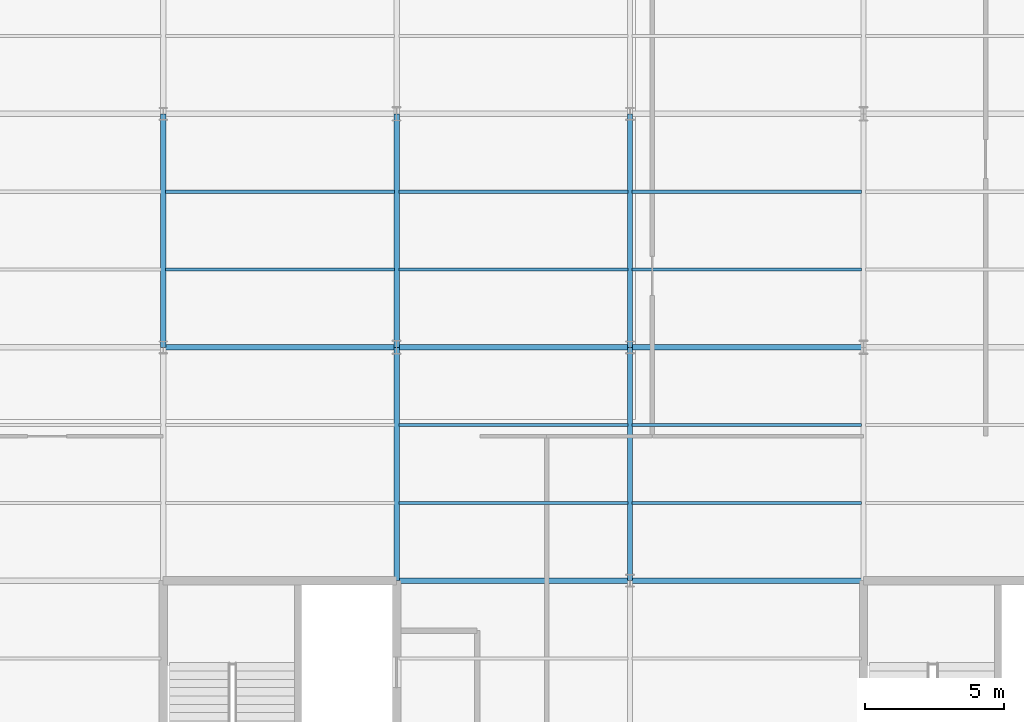
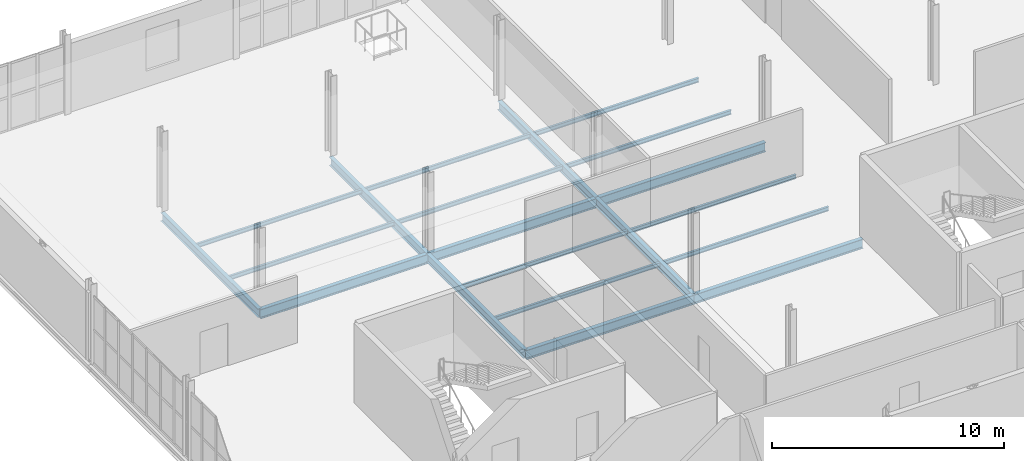
# One storey, part 22 of 65: 20 beams.
"""IFC4 building model written with IfcOpenShell, lengths in metres."""

from ifc_helpers import new_model, si_unit, direction, frame, origin, origin_2d, place, context, subcontext, project, spatial, i_section, extrude, material, material_profile, profile_set, type_object, element, save


model = new_model("IFC4")

# Units and contexts
model_context = context("Model", 3, precision=1e-05, world=origin(), true_north=direction((0.0, 1.0)))
body_context = subcontext(model_context, "Body", "Model", "MODEL_VIEW")
ifc_project = project(units=[si_unit("LENGTHUNIT", "METRE"), si_unit("AREAUNIT", "SQUARE_METRE"), si_unit("VOLUMEUNIT", "CUBIC_METRE"), si_unit("PLANEANGLEUNIT", "RADIAN"), si_unit("MASSUNIT", "GRAM", prefix="KILO")], contexts=[model_context])

# Site, building, storey
site_placement = place(None, origin())
site = spatial("IfcSite", under=ifc_project, at=site_placement, CompositionType="ELEMENT")
building_placement = place(site_placement, origin())
building = spatial("IfcBuilding", under=site, at=building_placement, Name="Qalvenar Corner Mobility Hub", CompositionType="ELEMENT")
storey_placement = place(building_placement, frame((0.0, 0.0, 17.39990234375)))
storey = spatial("IfcBuildingStorey", under=building, at=storey_placement, Name="L04", CompositionType="ELEMENT", Elevation=17.39990234375)

# Beams
ifc_material = material(Name="Steel S355", Category="steel")
ifc_material_profile_1 = material_profile(ifc_material, i_section(OverallWidth=0.18994140625, OverallDepth=0.449951171875, WebThickness=0.009521484375, FlangeThickness=0.0146484375, FilletRadius=0.02099609375, at=origin_2d()), Name="IPE450")
ifc_profile_set_1 = profile_set([ifc_material_profile_1], Name="Steel S355")
beam_type_1 = type_object("IfcBeamType", Name="BM-IPE450", PredefinedType="BEAM", material=ifc_profile_set_1)
beam_1_placement = place(storey_placement, frame((8.39990234375, 25.199951171875, -0.40478515625), z_axis=(0.0, 1.0, 0.0), x_axis=(-1.0, 0.0, 0.0)))
element("IfcBeam", 1, at=beam_1_placement, inside=storey, type_object=beam_type_1, Name="Primary Steel Girder GY-2635", PredefinedType="BEAM", context=body_context, shape_type="SweptSolid", body=[
    extrude(i_section(OverallWidth=0.18994140625, OverallDepth=0.449951171875, WebThickness=0.009521484375, FlangeThickness=0.0146484375, FilletRadius=0.02099609375, at=origin_2d()), origin(), (0.0, 0.0, 1.0), 8.400146484375),
])
beam_2_placement = place(storey_placement, frame((16.800048828125, 16.800048828125, -0.40478515625), z_axis=(0.0, 1.0, 0.0), x_axis=(-1.0, 0.0, 0.0)))
element("IfcBeam", 2, at=beam_2_placement, inside=storey, type_object=beam_type_1, Name="Primary Steel Girder GY-2639", PredefinedType="BEAM", context=body_context, shape_type="SweptSolid", body=[
    extrude(i_section(OverallWidth=0.18994140625, OverallDepth=0.449951171875, WebThickness=0.009521484375, FlangeThickness=0.0146484375, FilletRadius=0.02099609375, at=origin_2d()), origin(), (0.0, 0.0, 1.0), 8.39990234375),
])
beam_3_placement = place(storey_placement, frame((16.800048828125, 25.199951171875, -0.40478515625), z_axis=(0.0, 1.0, 0.0), x_axis=(-1.0, 0.0, 0.0)))
element("IfcBeam", 3, at=beam_3_placement, inside=storey, type_object=beam_type_1, Name="Primary Steel Girder GY-2640", PredefinedType="BEAM", context=body_context, shape_type="SweptSolid", body=[
    extrude(i_section(OverallWidth=0.18994140625, OverallDepth=0.449951171875, WebThickness=0.009521484375, FlangeThickness=0.0146484375, FilletRadius=0.02099609375, at=origin_2d()), origin(), (0.0, 0.0, 1.0), 8.400146484375),
])
beam_4_placement = place(storey_placement, frame((25.199951171875, 16.800048828125, -0.40478515625), z_axis=(0.0, 1.0, 0.0), x_axis=(-1.0, 0.0, 0.0)))
element("IfcBeam", 4, at=beam_4_placement, inside=storey, type_object=beam_type_1, Name="Primary Steel Girder GY-2644", PredefinedType="BEAM", context=body_context, shape_type="SweptSolid", body=[
    extrude(i_section(OverallWidth=0.18994140625, OverallDepth=0.449951171875, WebThickness=0.009521484375, FlangeThickness=0.0146484375, FilletRadius=0.02099609375, at=origin_2d()), origin(), (0.0, 0.0, 1.0), 8.39990234375),
])
beam_5_placement = place(storey_placement, frame((25.199951171875, 25.199951171875, -0.40478515625), z_axis=(0.0, 1.0, 0.0), x_axis=(-1.0, 0.0, 0.0)))
element("IfcBeam", 5, at=beam_5_placement, inside=storey, type_object=beam_type_1, Name="Primary Steel Girder GY-2645", PredefinedType="BEAM", context=body_context, shape_type="SweptSolid", body=[
    extrude(i_section(OverallWidth=0.18994140625, OverallDepth=0.449951171875, WebThickness=0.009521484375, FlangeThickness=0.0146484375, FilletRadius=0.02099609375, at=origin_2d()), origin(), (0.0, 0.0, 1.0), 8.400146484375),
])
ifc_material_profile_2 = material_profile(ifc_material, i_section(OverallWidth=0.199951171875, OverallDepth=0.5, WebThickness=0.01025390625, FlangeThickness=0.01611328125, FilletRadius=0.02099609375, at=origin_2d()), Name="IPE500")
ifc_profile_set_2 = profile_set([ifc_material_profile_2], Name="Steel S355")
beam_type_2 = type_object("IfcBeamType", Name="BM-IPE500", PredefinedType="BEAM", material=ifc_profile_set_2)
beam_6_placement = place(storey_placement, frame((16.800048828125, 16.800048828125, -0.429931640625), z_axis=(1.0, 0.0, 0.0), x_axis=(0.0, 1.0, 0.0)))
element("IfcBeam", 6, at=beam_6_placement, inside=storey, type_object=beam_type_2, Name="Primary Steel Girder GX-2605", PredefinedType="BEAM", context=body_context, shape_type="SweptSolid", body=[
    extrude(i_section(OverallWidth=0.199951171875, OverallDepth=0.5, WebThickness=0.01025390625, FlangeThickness=0.01611328125, FilletRadius=0.02099609375, at=origin_2d()), origin(), (0.0, 0.0, 1.0), 8.39990234375),
])
for number, where, z_axis, x_axis, name in (
    (7, (25.199951171875, 16.800048828125, -0.429931640625), (1.0, 0.0, 0.0), (0.0, 1.0, 0.0), "Primary Steel Girder GX-2606"),
    (8, (8.39990234375, 25.199951171875, -0.429931640625), (1.0, 0.0, 0.0), (0.0, 1.0, 0.0), "Primary Steel Girder GX-2610"),
):
    element("IfcBeam", number, at=place(storey_placement, frame(where, z_axis=z_axis, x_axis=x_axis)), inside=storey, type_object=beam_type_2, Name=name, PredefinedType="BEAM", context=body_context, shape_type="SweptSolid", body=[
        extrude(i_section(OverallWidth=0.199951171875, OverallDepth=0.5, WebThickness=0.01025390625, FlangeThickness=0.01611328125, FilletRadius=0.02099609375, at=origin_2d()), origin(), (0.0, 0.0, 1.0), 8.400146484375),
    ])
beam_7_placement = place(storey_placement, frame((16.800048828125, 25.199951171875, -0.429931640625), z_axis=(1.0, 0.0, 0.0), x_axis=(0.0, 1.0, 0.0)))
element("IfcBeam", 9, at=beam_7_placement, inside=storey, type_object=beam_type_2, Name="Primary Steel Girder GX-2611", PredefinedType="BEAM", context=body_context, shape_type="SweptSolid", body=[
    extrude(i_section(OverallWidth=0.199951171875, OverallDepth=0.5, WebThickness=0.01025390625, FlangeThickness=0.01611328125, FilletRadius=0.02099609375, at=origin_2d()), origin(), (0.0, 0.0, 1.0), 8.39990234375),
])
beam_8_placement = place(storey_placement, frame((25.199951171875, 25.199951171875, -0.429931640625), z_axis=(1.0, 0.0, 0.0), x_axis=(0.0, 1.0, 0.0)))
element("IfcBeam", 10, at=beam_8_placement, inside=storey, type_object=beam_type_2, Name="Primary Steel Girder GX-2612", PredefinedType="BEAM", context=body_context, shape_type="SweptSolid", body=[
    extrude(i_section(OverallWidth=0.199951171875, OverallDepth=0.5, WebThickness=0.01025390625, FlangeThickness=0.01611328125, FilletRadius=0.02099609375, at=origin_2d()), origin(), (0.0, 0.0, 1.0), 8.400146484375),
])
ifc_material_profile_3 = material_profile(ifc_material, i_section(OverallWidth=0.110107421875, OverallDepth=0.219970703125, WebThickness=0.005859375, FlangeThickness=0.00927734375, FilletRadius=0.011962890625, at=origin_2d()), Name="IPE220")
ifc_profile_set_3 = profile_set([ifc_material_profile_3], Name="Steel S355")
beam_type_3 = type_object("IfcBeamType", Name="BM-JST220", PredefinedType="JOIST", material=ifc_profile_set_3)
for number, where, z_axis, x_axis, name in (
    (11, (8.47802734375, 28.0, -0.289794921875), (1.0, 0.0, 0.0), (0.0, 1.0, 0.0), "Composite Floor Joist J-2677"),
    (12, (8.47802734375, 30.800048828125, -0.289794921875), (1.0, 0.0, 0.0), (0.0, 1.0, 0.0), "Composite Floor Joist J-2678"),
):
    element("IfcBeam", number, at=place(storey_placement, frame(where, z_axis=z_axis, x_axis=x_axis)), inside=storey, type_object=beam_type_3, Name=name, PredefinedType="JOIST", context=body_context, shape_type="SweptSolid", body=[
        extrude(i_section(OverallWidth=0.110107421875, OverallDepth=0.219970703125, WebThickness=0.005859375, FlangeThickness=0.00927734375, FilletRadius=0.011962890625, at=origin_2d()), origin(), (0.0, 0.0, 1.0), 8.243896484375),
    ])
for number, where, z_axis, x_axis, name in (
    (13, (16.8779296875, 19.60009765625, -0.289794921875), (1.0, 0.0, 0.0), (0.0, 1.0, 0.0), "Composite Floor Joist J-2685"),
    (14, (16.8779296875, 22.39990234375, -0.289794921875), (1.0, 0.0, 0.0), (0.0, 1.0, 0.0), "Composite Floor Joist J-2686"),
    (15, (16.8779296875, 28.0, -0.289794921875), (1.0, 0.0, 0.0), (0.0, 1.0, 0.0), "Composite Floor Joist J-2687"),
    (16, (16.8779296875, 30.800048828125, -0.289794921875), (1.0, 0.0, 0.0), (0.0, 1.0, 0.0), "Composite Floor Joist J-2688"),
):
    element("IfcBeam", number, at=place(storey_placement, frame(where, z_axis=z_axis, x_axis=x_axis)), inside=storey, type_object=beam_type_3, Name=name, PredefinedType="JOIST", context=body_context, shape_type="SweptSolid", body=[
        extrude(i_section(OverallWidth=0.110107421875, OverallDepth=0.219970703125, WebThickness=0.005859375, FlangeThickness=0.00927734375, FilletRadius=0.011962890625, at=origin_2d()), origin(), (0.0, 0.0, 1.0), 8.244140625),
    ])
for number, where, z_axis, x_axis, name in (
    (17, (25.278076171875, 19.60009765625, -0.289794921875), (1.0, 0.0, 0.0), (0.0, 1.0, 0.0), "Composite Floor Joist J-2695"),
    (18, (25.278076171875, 22.39990234375, -0.289794921875), (1.0, 0.0, 0.0), (0.0, 1.0, 0.0), "Composite Floor Joist J-2696"),
    (19, (25.278076171875, 28.0, -0.289794921875), (1.0, 0.0, 0.0), (0.0, 1.0, 0.0), "Composite Floor Joist J-2697"),
    (20, (25.278076171875, 30.800048828125, -0.289794921875), (1.0, 0.0, 0.0), (0.0, 1.0, 0.0), "Composite Floor Joist J-2698"),
):
    element("IfcBeam", number, at=place(storey_placement, frame(where, z_axis=z_axis, x_axis=x_axis)), inside=storey, type_object=beam_type_3, Name=name, PredefinedType="JOIST", context=body_context, shape_type="SweptSolid", body=[
        extrude(i_section(OverallWidth=0.110107421875, OverallDepth=0.219970703125, WebThickness=0.005859375, FlangeThickness=0.00927734375, FilletRadius=0.011962890625, at=origin_2d()), origin(), (0.0, 0.0, 1.0), 8.243896484375),
    ])

save(model, "model.ifc")
